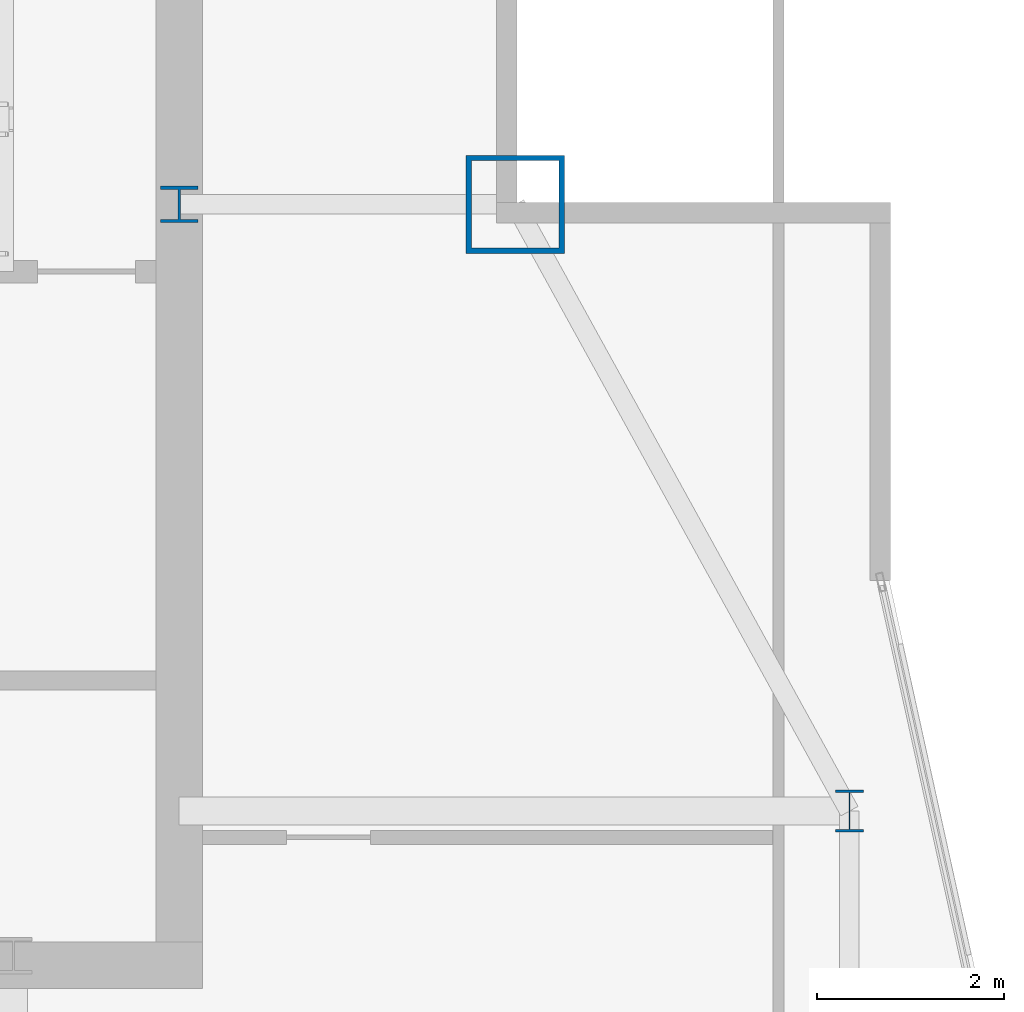
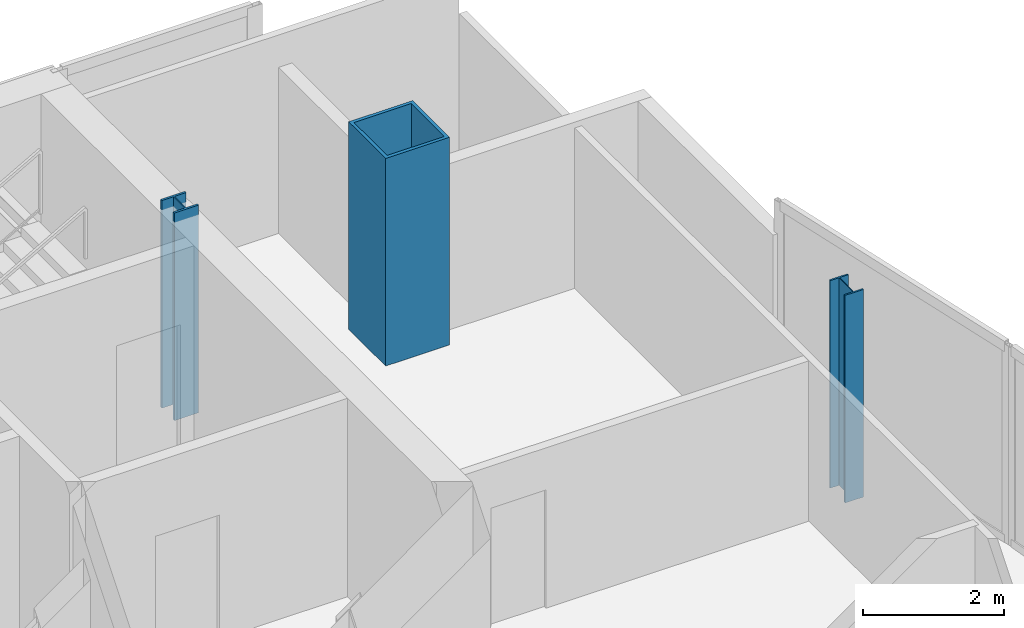
# One storey, part 4 of 30: 3 columns.
"""IFC4 building model written with IfcOpenShell, lengths in metres."""

from ifc_helpers import new_model, si_unit, direction, frame, origin, origin_2d, place, context, subcontext, project, spatial, hollow_rectangle, i_section, extrude, material, material_profile, profile_set, type_object, element, save


model = new_model("IFC4")

# Units and contexts
model_context = context("Model", 3, precision=1e-05, world=origin(), true_north=direction((0.0, 1.0)))
body_context = subcontext(model_context, "Body", "Model", "MODEL_VIEW")
ifc_project = project(units=[si_unit("LENGTHUNIT", "METRE"), si_unit("AREAUNIT", "SQUARE_METRE"), si_unit("VOLUMEUNIT", "CUBIC_METRE"), si_unit("PLANEANGLEUNIT", "RADIAN"), si_unit("MASSUNIT", "GRAM", prefix="KILO")], contexts=[model_context])

# Site, building, storey
site_placement = place(None, origin())
site = spatial("IfcSite", under=ifc_project, at=site_placement, CompositionType="ELEMENT")
building_placement = place(site_placement, origin())
building = spatial("IfcBuilding", under=site, at=building_placement, Name="Khoronbel Lancet Exchange", CompositionType="ELEMENT")
storey_placement = place(building_placement, frame((0.0, 0.0, 269.800048828125)))
storey = spatial("IfcBuildingStorey", under=building, at=storey_placement, Name="L69", CompositionType="ELEMENT", Elevation=269.800048828125)

# Columns
ifc_material_1 = material(Name="Steel S355", Category="steel")
ifc_material_profile_1 = material_profile(ifc_material_1, i_section(OverallWidth=0.39892578125, OverallDepth=0.39306640625, WebThickness=0.022705078125, FlangeThickness=0.03662109375, at=origin_2d()), Name="HD 400x287")
ifc_profile_set_1 = profile_set([ifc_material_profile_1], Name="Steel S355")
column_type_1 = type_object("IfcColumnType", Name="COL-IC4", PredefinedType="COLUMN", material=ifc_profile_set_1)
column_1_placement = place(storey_placement, frame((56.449951171875, 49.699951171875, 0.0), z_axis=(0.0, 0.0, 1.0), x_axis=(1.0, 0.0, 0.0)))
element("IfcColumn", 1, at=column_1_placement, inside=storey, type_object=column_type_1, Name="Core-flank plumb transfer column CFE L69", PredefinedType="COLUMN", context=body_context, shape_type="SweptSolid", body=[
    extrude(i_section(OverallWidth=0.39892578125, OverallDepth=0.39306640625, WebThickness=0.022705078125, FlangeThickness=0.03662109375, at=origin_2d()), origin(), (0.0, 0.0, 1.0), 3.599853515625),
])
ifc_material_profile_2 = material_profile(ifc_material_1, i_section(OverallWidth=0.300048828125, OverallDepth=0.449951171875, WebThickness=0.013916015625, FlangeThickness=0.02587890625, at=origin_2d()), Name="HEB 450")
ifc_profile_set_2 = profile_set([ifc_material_profile_2], Name="Steel S355")
column_type_2 = type_object("IfcColumnType", Name="COL-LC2", PredefinedType="COLUMN", material=ifc_profile_set_2)
column_2_placement = place(storey_placement, frame((63.6298828125, 43.199951171875, 0.0), z_axis=(0.0, 0.0, 1.0), x_axis=(1.0, 0.0, 0.0)))
element("IfcColumn", 2, at=column_2_placement, inside=storey, type_object=column_type_2, Name="Structural column EC-4 L69", PredefinedType="COLUMN", context=body_context, shape_type="SweptSolid", body=[
    extrude(i_section(OverallWidth=0.300048828125, OverallDepth=0.449951171875, WebThickness=0.013916015625, FlangeThickness=0.02587890625, at=origin_2d()), origin(), (0.0, 0.0, 1.0), 3.599853515625),
])
ifc_material_2 = material(Name="Steel S460", Category="steel")
ifc_material_profile_3 = material_profile(ifc_material_2, hollow_rectangle(XDim=1.050048828125, YDim=1.050048828125, WallThickness=0.054931640625, at=origin_2d()), Name="BOX 1050x1050x55")
ifc_profile_set_3 = profile_set([ifc_material_profile_3], Name="Steel S460")
column_type_3 = type_object("IfcColumnType", Name="COL-MC6", PredefinedType="COLUMN", material=ifc_profile_set_3)
column_3_placement = place(storey_placement, frame((60.050048828125, 49.699951171875, 0.0), z_axis=(0.0, 0.0, 1.0), x_axis=(1.0, 0.0, 0.0)))
element("IfcColumn", 3, at=column_3_placement, inside=storey, type_object=column_type_3, Name="Structural column MC-NE L69", PredefinedType="COLUMN", context=body_context, shape_type="SweptSolid", body=[
    extrude(hollow_rectangle(XDim=1.050048828125, YDim=1.050048828125, WallThickness=0.054931640625, at=origin_2d()), origin(), (0.0, 0.0, 1.0), 3.599853515625),
])

save(model, "model.ifc")
